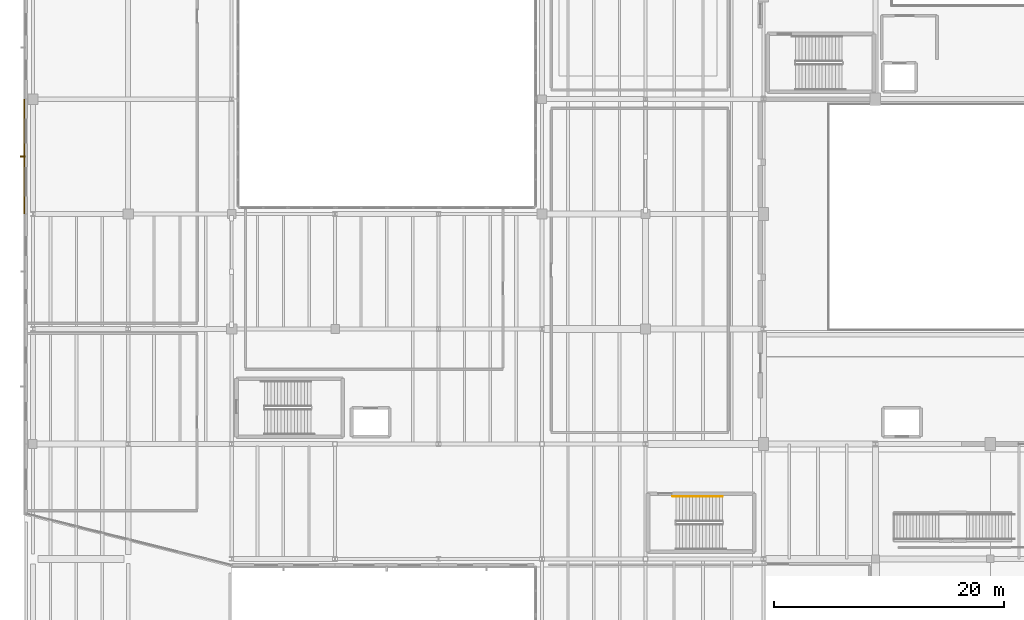
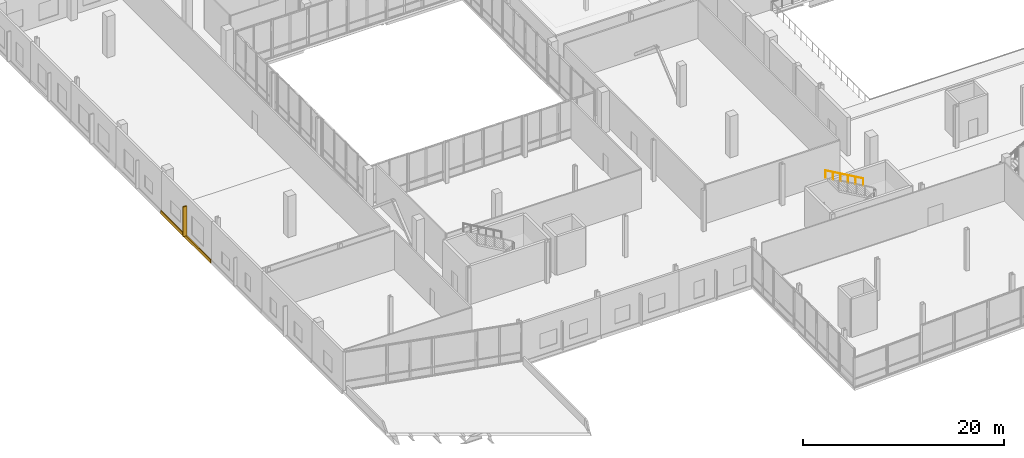
# One storey, part 70 of 81: 1 covering, 1 railing, 1 shading device.
"""IFC4 building model written with IfcOpenShell, lengths in metres."""

from ifc_helpers import new_model, si_unit, direction, frame, origin, origin_2d, place, context, subcontext, project, spatial, rectangle, circle, extrude, material, layer, layer_set, type_object, element, save


model = new_model("IFC4")

# Units and contexts
model_context = context("Model", 3, precision=1e-05, world=origin(), true_north=direction((0.0, 1.0)))
body_context = subcontext(model_context, "Body", "Model", "MODEL_VIEW")
ifc_project = project(units=[si_unit("LENGTHUNIT", "METRE"), si_unit("AREAUNIT", "SQUARE_METRE"), si_unit("VOLUMEUNIT", "CUBIC_METRE"), si_unit("PLANEANGLEUNIT", "RADIAN"), si_unit("MASSUNIT", "GRAM", prefix="KILO")], contexts=[model_context])

# Site, building, storey
site_placement = place(None, origin())
site = spatial("IfcSite", under=ifc_project, at=site_placement, CompositionType="ELEMENT")
building_placement = place(site_placement, origin())
building = spatial("IfcBuilding", under=site, at=building_placement, Name="Trimount Lyric Opera House", CompositionType="ELEMENT")
storey_placement = place(building_placement, frame((0.0, 0.0, 5.0)))
storey = spatial("IfcBuildingStorey", under=building, at=storey_placement, Name="L01", CompositionType="ELEMENT", Elevation=5.0)

# Covering
ifc_material_1 = material(Name="Architectural Precast Concrete Spandrel Band", Category="concrete")
ifc_layer = layer(ifc_material_1, 0.094970703125)
ifc_layer_set = layer_set([ifc_layer], Name="CLD-WING1")
covering_type = type_object("IfcCoveringType", Name="CLD-WING1", PredefinedType="CLADDING", material=ifc_layer_set)
covering_placement = place(storey_placement, frame((-0.04150390625, 79.0, -0.369873046875), z_axis=(0.0, 0.0, 1.0), x_axis=(0.0, 1.0, 0.0)))
element("IfcCovering", 1, at=covering_placement, inside=storey, type_object=covering_type, Name="L01 precast slab-edge spandrel 160", PredefinedType="CLADDING", context=body_context, shape_type="SweptSolid", body=[
    extrude(rectangle(XDim=9.93994140625, YDim=0.094970703125, at=origin_2d()), origin(), (0.0, 0.0, 1.0), 0.419921875),
])

# Railing
ifc_material_2 = material(Name="Brushed Stainless Steel 316", Category="steel")
railing_type = type_object("IfcRailingType", Name="RL-HND092", PredefinedType="HANDRAIL", material=ifc_material_2)
railing_placement = place(storey_placement, frame((60.7099609375, 49.449951171875, 2.666748046875)))
element("IfcRailing", 2, at=railing_placement, inside=storey, type_object=railing_type, Name="L01 ST-07 stair handrail 2", PredefinedType="HANDRAIL", context=body_context, shape_type="SweptSolid", body=[
    extrude(circle(Radius=0.0224609375, at=origin_2d()), frame((0.0, 0.0, 0.8974609375), z_axis=(-0.866754379005, 0.0, 0.498735246875), x_axis=(0.0, -1.0, 0.0)), (0.0, 0.0, 1.0), 5.0185546875),
    extrude(circle(Radius=0.02099609375, at=origin_2d()), origin(), (0.0, 0.0, 1.0), 0.875),
    extrude(circle(Radius=0.02099609375, at=origin_2d()), frame((-0.869873046875, 0.0, 0.50048828125)), (0.0, 0.0, 1.0), 0.875),
    extrude(circle(Radius=0.02099609375, at=origin_2d()), frame((-1.739990234375, 0.0, 1.001220703125)), (0.0, 0.0, 1.0), 0.875),
    extrude(circle(Radius=0.02099609375, at=origin_2d()), frame((-2.60986328125, 0.0, 1.501708984375)), (0.0, 0.0, 1.0), 0.875),
    extrude(circle(Radius=0.02099609375, at=origin_2d()), frame((-3.47998046875, 0.0, 2.00244140625)), (0.0, 0.0, 1.0), 0.875),
    extrude(circle(Radius=0.02099609375, at=origin_2d()), frame((-4.349853515625, 0.0, 2.5029296875)), (0.0, 0.0, 1.0), 0.875),
])

# Shading device
ifc_material_3 = material(Name="Extruded Bronze Vertical Acoustic Fin")
shading_device_type = type_object("IfcShadingDeviceType", Name="SHD-FIN1", PredefinedType="USERDEFINED", material=ifc_material_3)
shading_device_placement = place(storey_placement, frame((-0.179931640625, 79.0, 0.0), z_axis=(0.0, 0.0, 1.0), x_axis=(1.0, 0.0, 0.0)))
element("IfcShadingDevice", 3, at=shading_device_placement, inside=storey, type_object=shading_device_type, Name="Vertical architectural facade fin 053", ObjectType="FIN", PredefinedType="USERDEFINED", context=body_context, shape_type="SweptSolid", body=[
    extrude(rectangle(XDim=0.449951171875, YDim=0.139892578125, at=origin_2d()), origin(), (0.0, 0.0, 1.0), 3.60009765625),
])

save(model, "model.ifc")
